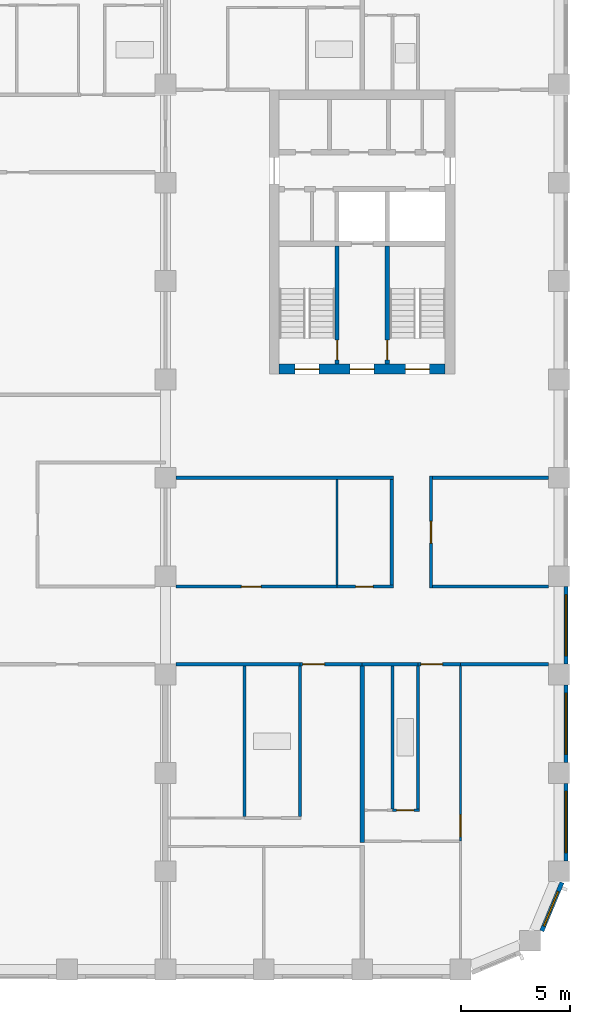
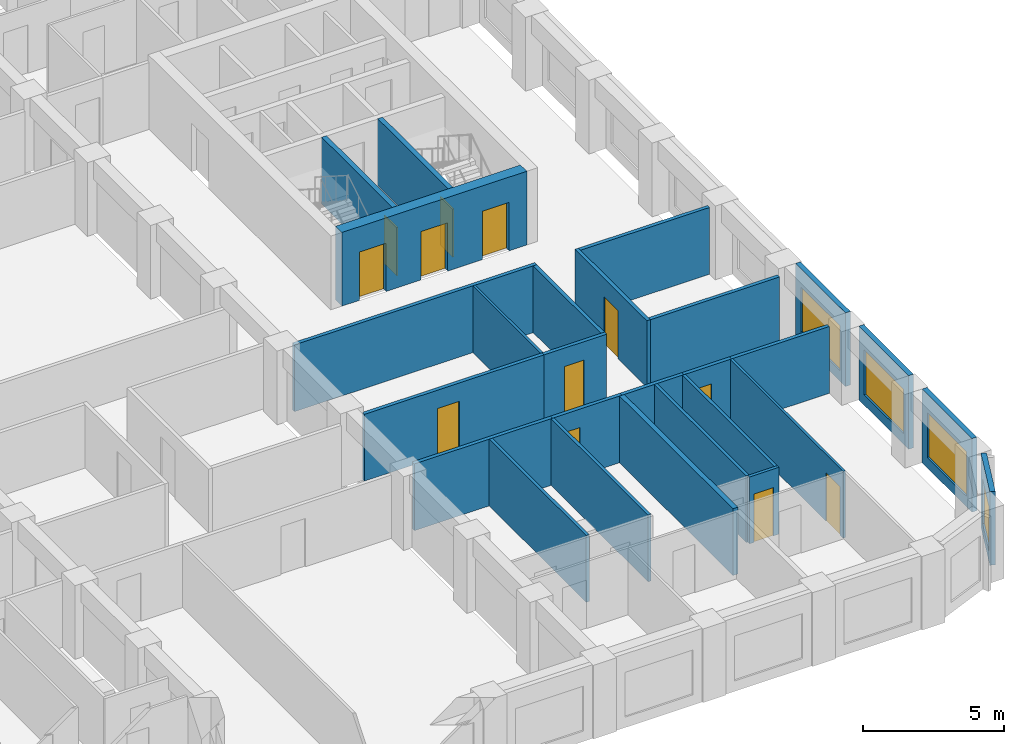
# One storey, part 5 of 13: 27 walls, 12 doors, 4 windows, 16 openings.
"""IFC4 building model written with IfcOpenShell, lengths in metres."""

from ifc_helpers import new_model, si_unit, direction, frame, frame_2d, origin, place, context, subcontext, project, spatial, rectangle, extrude, material, layer, layer_set, type_object, element, fill, save


model = new_model("IFC4")

# Units and contexts
model_context = context("Model", 3, precision=1e-05, world=origin(), true_north=direction((0.0, 1.0)))
body_context = subcontext(model_context, "Body", "Model", "MODEL_VIEW")
ifc_project = project(units=[si_unit("LENGTHUNIT", "METRE"), si_unit("AREAUNIT", "SQUARE_METRE"), si_unit("VOLUMEUNIT", "CUBIC_METRE"), si_unit("PLANEANGLEUNIT", "RADIAN"), si_unit("MASSUNIT", "GRAM", prefix="KILO")], contexts=[model_context])

# Site, building, storey
site_placement = place(None, origin())
site = spatial("IfcSite", under=ifc_project, at=site_placement, CompositionType="ELEMENT")
building_placement = place(site_placement, origin())
building = spatial("IfcBuilding", under=site, at=building_placement, Name="Girih Gate Residences", CompositionType="ELEMENT")
storey_placement = place(building_placement, frame((0.0, 0.0, 136.60009765625)))
storey = spatial("IfcBuildingStorey", under=building, at=storey_placement, Name="L38", CompositionType="ELEMENT", Elevation=136.60009765625)

# Wall, opening, door
ifc_material_1 = material(Name="Gypsum board on steel studs", Category="steel")
ifc_layer_1 = layer(ifc_material_1, 0.14990234375)
ifc_layer_set_1 = layer_set([ifc_layer_1], Name="Compartment wall 150 mm")
wall_type_1 = type_object("IfcWallType", Name="Compartment wall 150 mm", PredefinedType="PARTITIONING", material=ifc_layer_set_1)
wall_1_placement = place(storey_placement, frame((45.0, 13.97509765625, 0.0), z_axis=(0.0, 0.0, 1.0), x_axis=(-1.0, 0.0, 0.0)))
wall_1 = element("IfcWall", 1, at=wall_1_placement, inside=storey, type_object=wall_type_1, Name="L38 partition", PredefinedType="PARTITIONING", context=body_context, shape_type="SweptSolid", body=[
    extrude(rectangle(XDim=1.949951171875, YDim=0.14990234375, at=frame_2d((0.97509765625, 0.0))), origin(), (0.0, 0.0, 1.0), 2.89990234375),
])
opening_1_placement = place(wall_1_placement, frame((0.820068359375, 0.0, 0.0)))
opening_1 = element("IfcOpeningElement", 2, at=opening_1_placement, cuts=wall_1, Name="Opening A38-021", PredefinedType="OPENING", context=body_context, shape_type="SweptSolid", body=[
    extrude(rectangle(XDim=1.0, YDim=2.10009765625, at=frame_2d((0.5, 1.050048828125))), frame((0.0, 0.0849609375, 0.0), z_axis=(0.0, -1.0, 0.0), x_axis=(1.0, 0.0, 0.0)), (0.0, 0.0, 1.0), 0.169921875),
])
ifc_material_2 = material(Name="Timber, fire-rated core", Category="wood")
door_type_1 = type_object("IfcDoorType", Name="Flat entrance door 1000x2100 FD30S", OperationType="NOTDEFINED", PredefinedType="DOOR", material=ifc_material_2)
door_1_placement = place(opening_1_placement, origin())
door_1 = element("IfcDoor", 3, at=door_1_placement, inside=storey, type_object=door_type_1, Name="Door A38-021", OperationType="SINGLE_SWING_RIGHT", OverallHeight=2.10009765625, OverallWidth=1.0, PredefinedType="DOOR", context=body_context, shape_type="SweptSolid", body=[
    extrude(rectangle(XDim=1.0, YDim=2.10009765625, at=frame_2d((0.5, 1.050048828125))), frame((0.0, 0.02490234375, 0.0), z_axis=(0.0, -1.0, 0.0), x_axis=(1.0, 0.0, 0.0)), (0.0, 0.0, 1.0), 0.050048828125),
])
fill(opening_1, door_1)

# Walls
wall_2_placement = place(storey_placement, frame((40.5, 13.97509765625, 0.0), z_axis=(0.0, 0.0, 1.0), x_axis=(1.0, 0.0, 0.0)))
element("IfcWall", 4, at=wall_2_placement, inside=storey, type_object=wall_type_1, Name="L38 partition", PredefinedType="PARTITIONING", context=body_context, shape_type="SweptSolid", body=[
    extrude(rectangle(XDim=2.550048828125, YDim=0.14990234375, at=frame_2d((1.27490234375, 0.0))), origin(), (0.0, 0.0, 1.0), 2.89990234375),
])
wall_3_placement = place(storey_placement, frame((45.0, 13.97509765625, 0.0), z_axis=(0.0, 0.0, 1.0), x_axis=(1.0, 0.0, 0.0)))
element("IfcWall", 5, at=wall_3_placement, inside=storey, type_object=wall_type_1, Name="L38 partition", PredefinedType="PARTITIONING", context=body_context, shape_type="SweptSolid", body=[
    extrude(rectangle(XDim=4.02490234375, YDim=0.14990234375, at=frame_2d((2.012451171875, 0.0))), origin(), (0.0, 0.0, 1.0), 2.89990234375),
])

# Wall, opening, door
wall_4_placement = place(storey_placement, frame((40.5, 13.97509765625, 0.0), z_axis=(0.0, 0.0, 1.0), x_axis=(-1.0, 0.0, 0.0)))
wall_4 = element("IfcWall", 6, at=wall_4_placement, inside=storey, type_object=wall_type_1, Name="L38 partition", PredefinedType="PARTITIONING", context=body_context, shape_type="SweptSolid", body=[
    extrude(rectangle(XDim=2.85009765625, YDim=0.14990234375, at=frame_2d((1.425048828125, 0.0))), origin(), (0.0, 0.0, 1.0), 2.89990234375),
])
opening_2_placement = place(wall_4_placement, frame((1.719970703125, 0.0, 0.0)))
opening_2 = element("IfcOpeningElement", 7, at=opening_2_placement, cuts=wall_4, Name="Opening A38-026", PredefinedType="OPENING", context=body_context, shape_type="SweptSolid", body=[
    extrude(rectangle(XDim=1.0, YDim=2.10009765625, at=frame_2d((0.5, 1.050048828125))), frame((0.0, 0.0849609375, 0.0), z_axis=(0.0, -1.0, 0.0), x_axis=(1.0, 0.0, 0.0)), (0.0, 0.0, 1.0), 0.169921875),
])
door_2_placement = place(opening_2_placement, origin())
door_2 = element("IfcDoor", 8, at=door_2_placement, inside=storey, type_object=door_type_1, Name="Door A38-026", OperationType="SINGLE_SWING_RIGHT", OverallHeight=2.10009765625, OverallWidth=1.0, PredefinedType="DOOR", context=body_context, shape_type="SweptSolid", body=[
    extrude(rectangle(XDim=1.0, YDim=2.10009765625, at=frame_2d((0.5, 1.050048828125))), frame((0.0, 0.02490234375, 0.0), z_axis=(0.0, -1.0, 0.0), x_axis=(1.0, 0.0, 0.0)), (0.0, 0.0, 1.0), 0.050048828125),
])
fill(opening_2, door_2)

# Wall
wall_5_placement = place(storey_placement, frame((31.97509765625, 13.97509765625, 0.0), z_axis=(0.0, 0.0, 1.0), x_axis=(1.0, 0.0, 0.0)))
element("IfcWall", 9, at=wall_5_placement, inside=storey, type_object=wall_type_1, Name="L38 partition", PredefinedType="PARTITIONING", context=body_context, shape_type="SweptSolid", body=[
    extrude(rectangle(XDim=5.6748046875, YDim=0.14990234375, at=frame_2d((2.83740234375, 0.0))), origin(), (0.0, 0.0, 1.0), 2.89990234375),
])

# Wall, opening, door
wall_6_placement = place(storey_placement, frame((31.97509765625, 17.52490234375, 0.0), z_axis=(0.0, 0.0, 1.0), x_axis=(1.0, 0.0, 0.0)))
wall_6 = element("IfcWall", 10, at=wall_6_placement, inside=storey, type_object=wall_type_1, Name="L38 partition", PredefinedType="PARTITIONING", context=body_context, shape_type="SweptSolid", body=[
    extrude(rectangle(XDim=7.375, YDim=0.14990234375, at=frame_2d((3.6875, 0.0))), origin(), (0.0, 0.0, 1.0), 2.89990234375),
])
opening_3_placement = place(wall_6_placement, frame((3.0, 0.0, 0.0)))
opening_3 = element("IfcOpeningElement", 11, at=opening_3_placement, cuts=wall_6, Name="Opening A38-053", PredefinedType="OPENING", context=body_context, shape_type="SweptSolid", body=[
    extrude(rectangle(XDim=0.89990234375, YDim=2.10009765625, at=frame_2d((0.449951171875, 1.050048828125))), frame((0.0, 0.0849609375, 0.0), z_axis=(0.0, -1.0, 0.0), x_axis=(1.0, 0.0, 0.0)), (0.0, 0.0, 1.0), 0.169921875),
])
ifc_material_3 = material(Name="Timber", Category="wood")
door_type_2 = type_object("IfcDoorType", Name="Service room door 900x2100", OperationType="NOTDEFINED", PredefinedType="DOOR", material=ifc_material_3)
door_3_placement = place(opening_3_placement, origin())
door_3 = element("IfcDoor", 12, at=door_3_placement, inside=storey, type_object=door_type_2, Name="Door A38-053", OperationType="SINGLE_SWING_LEFT", OverallHeight=2.10009765625, OverallWidth=0.89990234375, PredefinedType="DOOR", context=body_context, shape_type="SweptSolid", body=[
    extrude(rectangle(XDim=0.89990234375, YDim=2.10009765625, at=frame_2d((0.449951171875, 1.050048828125))), frame((0.0, 0.02490234375, 0.0), z_axis=(0.0, -1.0, 0.0), x_axis=(1.0, 0.0, 0.0)), (0.0, 0.0, 1.0), 0.050048828125),
])
fill(opening_3, door_3)

wall_7_placement = place(storey_placement, frame((39.35009765625, 17.52490234375, 0.0), z_axis=(0.0, 0.0, 1.0), x_axis=(1.0, 0.0, 0.0)))
wall_7 = element("IfcWall", 13, at=wall_7_placement, inside=storey, type_object=wall_type_1, Name="L38 partition", PredefinedType="PARTITIONING", context=body_context, shape_type="SweptSolid", body=[
    extrude(rectangle(XDim=2.574951171875, YDim=0.14990234375, at=frame_2d((1.28759765625, 0.0))), origin(), (0.0, 0.0, 1.0), 2.89990234375),
])
opening_4_placement = place(wall_7_placement, frame((0.85009765625, 0.0, 0.0)))
opening_4 = element("IfcOpeningElement", 14, at=opening_4_placement, cuts=wall_7, Name="Opening A38-055", PredefinedType="OPENING", context=body_context, shape_type="SweptSolid", body=[
    extrude(rectangle(XDim=0.800048828125, YDim=2.10009765625, at=frame_2d((0.39990234375, 1.050048828125))), frame((0.0, 0.0849609375, 0.0), z_axis=(0.0, -1.0, 0.0), x_axis=(1.0, 0.0, 0.0)), (0.0, 0.0, 1.0), 0.169921875),
])
door_type_3 = type_object("IfcDoorType", Name="Bathroom door 800x2100", OperationType="NOTDEFINED", PredefinedType="DOOR", material=ifc_material_3)
door_4_placement = place(opening_4_placement, origin())
door_4 = element("IfcDoor", 15, at=door_4_placement, inside=storey, type_object=door_type_3, Name="Door A38-055", OperationType="SINGLE_SWING_LEFT", OverallHeight=2.10009765625, OverallWidth=0.800048828125, PredefinedType="DOOR", context=body_context, shape_type="SweptSolid", body=[
    extrude(rectangle(XDim=0.800048828125, YDim=2.10009765625, at=frame_2d((0.39990234375, 1.050048828125))), frame((0.0, 0.02490234375, 0.0), z_axis=(0.0, -1.0, 0.0), x_axis=(1.0, 0.0, 0.0)), (0.0, 0.0, 1.0), 0.050048828125),
])
fill(opening_4, door_4)

# Walls
wall_8_placement = place(storey_placement, frame((43.72509765625, 17.52490234375, 0.0), z_axis=(0.0, 0.0, 1.0), x_axis=(1.0, 0.0, 0.0)))
element("IfcWall", 16, at=wall_8_placement, inside=storey, type_object=wall_type_1, Name="L38 partition", PredefinedType="PARTITIONING", context=body_context, shape_type="SweptSolid", body=[
    extrude(rectangle(XDim=5.2998046875, YDim=0.14990234375, at=frame_2d((2.64990234375, 0.0))), origin(), (0.0, 0.0, 1.0), 2.89990234375),
])
wall_9_placement = place(storey_placement, frame((31.97509765625, 22.5, 0.0), z_axis=(0.0, 0.0, 1.0), x_axis=(1.0, 0.0, 0.0)))
element("IfcWall", 17, at=wall_9_placement, inside=storey, type_object=wall_type_1, Name="L38 partition", PredefinedType="PARTITIONING", context=body_context, shape_type="SweptSolid", body=[
    extrude(rectangle(XDim=9.949951171875, YDim=0.14990234375, at=frame_2d((4.97509765625, 0.0))), origin(), (0.0, 0.0, 1.0), 2.89990234375),
])
wall_10_placement = place(storey_placement, frame((43.72509765625, 22.5, 0.0), z_axis=(0.0, 0.0, 1.0), x_axis=(1.0, 0.0, 0.0)))
element("IfcWall", 18, at=wall_10_placement, inside=storey, type_object=wall_type_1, Name="L38 partition", PredefinedType="PARTITIONING", context=body_context, shape_type="SweptSolid", body=[
    extrude(rectangle(XDim=5.2998046875, YDim=0.14990234375, at=frame_2d((2.64990234375, 0.0))), origin(), (0.0, 0.0, 1.0), 2.89990234375),
])
wall_11_placement = place(storey_placement, frame((41.85009765625, 17.60009765625, 0.0), z_axis=(0.0, 0.0, 1.0), x_axis=(0.0, 1.0, 0.0)))
element("IfcWall", 19, at=wall_11_placement, inside=storey, type_object=wall_type_1, Name="L38 partition", PredefinedType="PARTITIONING", context=body_context, shape_type="SweptSolid", body=[
    extrude(rectangle(XDim=4.824951171875, YDim=0.14990234375, at=frame_2d((2.41259765625, 0.0))), origin(), (0.0, 0.0, 1.0), 2.89990234375),
])

# Wall, opening, door
wall_12_placement = place(storey_placement, frame((43.64990234375, 22.574951171875, 0.0), z_axis=(0.0, 0.0, 1.0), x_axis=(0.0, -1.0, 0.0)))
wall_12 = element("IfcWall", 20, at=wall_12_placement, inside=storey, type_object=wall_type_1, Name="L38 partition", PredefinedType="PARTITIONING", context=body_context, shape_type="SweptSolid", body=[
    extrude(rectangle(XDim=5.125, YDim=0.14990234375, at=frame_2d((2.5625, 0.0))), origin(), (0.0, 0.0, 1.0), 2.89990234375),
])
opening_5_placement = place(wall_12_placement, frame((2.0625, 0.0, 0.0)))
opening_5 = element("IfcOpeningElement", 21, at=opening_5_placement, cuts=wall_12, Name="Opening A38-057", PredefinedType="OPENING", context=body_context, shape_type="SweptSolid", body=[
    extrude(rectangle(XDim=1.0, YDim=2.10009765625, at=frame_2d((0.5, 1.050048828125))), frame((0.0, 0.0849609375, 0.0), z_axis=(0.0, -1.0, 0.0), x_axis=(1.0, 0.0, 0.0)), (0.0, 0.0, 1.0), 0.169921875),
])
door_type_4 = type_object("IfcDoorType", Name="Amenity room door 1000x2100 FD30S", OperationType="NOTDEFINED", PredefinedType="DOOR", material=ifc_material_2)
door_5_placement = place(opening_5_placement, origin())
door_5 = element("IfcDoor", 22, at=door_5_placement, inside=storey, type_object=door_type_4, Name="Door A38-057", OperationType="SINGLE_SWING_RIGHT", OverallHeight=2.10009765625, OverallWidth=1.0, PredefinedType="DOOR", context=body_context, shape_type="SweptSolid", body=[
    extrude(rectangle(XDim=1.0, YDim=2.10009765625, at=frame_2d((0.5, 1.050048828125))), frame((0.0, 0.02490234375, 0.0), z_axis=(0.0, -1.0, 0.0), x_axis=(1.0, 0.0, 0.0)), (0.0, 0.0, 1.0), 0.050048828125),
])
fill(opening_5, door_5)

# Wall, openings, doors
ifc_material_4 = material(Name="Concrete C60/75", Category="concrete")
ifc_layer_2 = layer(ifc_material_4, 0.449951171875)
ifc_layer_set_2 = layer_set([ifc_layer_2], Name="Core wall RC 450 Concrete C60/75")
wall_type_2 = type_object("IfcWallType", Name="Core wall RC 450 Concrete C60/75", PredefinedType="SOLIDWALL", material=ifc_layer_set_2)
wall_13_placement = place(storey_placement, frame((36.699951171875, 27.47509765625, 0.0), z_axis=(0.0, 0.0, 1.0), x_axis=(1.0, 0.0, 0.0)))
wall_13 = element("IfcWall", 23, at=wall_13_placement, inside=storey, type_object=wall_type_2, Name="Core wall E-S L38", PredefinedType="SOLIDWALL", context=body_context, shape_type="SweptSolid", body=[
    extrude(rectangle(XDim=7.60009765625, YDim=0.449951171875, at=frame_2d((3.800048828125, 0.0))), origin(), (0.0, 0.0, 1.0), 3.199951171875),
])
opening_6_placement = place(wall_13_placement, frame((5.77490234375, 0.0, 0.0)))
opening_6 = element("IfcOpeningElement", 24, at=opening_6_placement, cuts=wall_13, Name="Opening D-L38-E-011", PredefinedType="OPENING", context=body_context, shape_type="SweptSolid", body=[
    extrude(rectangle(XDim=1.10009765625, YDim=2.10009765625, at=frame_2d((0.550048828125, 1.050048828125))), frame((0.0, 0.23486328125, 0.0), z_axis=(0.0, -1.0, 0.0), x_axis=(1.0, 0.0, 0.0)), (0.0, 0.0, 1.0), 0.469970703125),
])
opening_7_placement = place(wall_13_placement, frame((3.25, 0.0, 0.0)))
opening_7 = element("IfcOpeningElement", 25, at=opening_7_placement, cuts=wall_13, Name="Opening D-L38-E-012", PredefinedType="OPENING", context=body_context, shape_type="SweptSolid", body=[
    extrude(rectangle(XDim=1.10009765625, YDim=2.10009765625, at=frame_2d((0.550048828125, 1.050048828125))), frame((0.0, 0.23486328125, 0.0), z_axis=(0.0, -1.0, 0.0), x_axis=(1.0, 0.0, 0.0)), (0.0, 0.0, 1.0), 0.469970703125),
])
opening_8_placement = place(wall_13_placement, frame((0.72509765625, 0.0, 0.0)))
opening_8 = element("IfcOpeningElement", 26, at=opening_8_placement, cuts=wall_13, Name="Opening D-L38-E-013", PredefinedType="OPENING", context=body_context, shape_type="SweptSolid", body=[
    extrude(rectangle(XDim=1.10009765625, YDim=2.10009765625, at=frame_2d((0.550048828125, 1.050048828125))), frame((0.0, 0.23486328125, 0.0), z_axis=(0.0, -1.0, 0.0), x_axis=(1.0, 0.0, 0.0)), (0.0, 0.0, 1.0), 0.469970703125),
])
ifc_material_5 = material(Name="Painted steel, fire-resisting", Category="steel")
door_type_5 = type_object("IfcDoorType", Name="Fire door 1100x2100", OperationType="SINGLE_SWING_LEFT", PredefinedType="DOOR", material=ifc_material_5)
door_6_placement = place(opening_6_placement, origin())
door_6 = element("IfcDoor", 27, at=door_6_placement, inside=storey, type_object=door_type_5, Name="L38 E core door sta-out", OperationType="SINGLE_SWING_LEFT", OverallHeight=2.10009765625, OverallWidth=1.10009765625, PredefinedType="DOOR", context=body_context, shape_type="SweptSolid", body=[
    extrude(rectangle(XDim=1.10009765625, YDim=2.10009765625, at=frame_2d((0.550048828125, 1.050048828125))), frame((0.0, 0.02490234375, 0.0), z_axis=(0.0, -1.0, 0.0), x_axis=(1.0, 0.0, 0.0)), (0.0, 0.0, 1.0), 0.050048828125),
])
fill(opening_6, door_6)
door_7_placement = place(opening_7_placement, origin())
door_7 = element("IfcDoor", 28, at=door_7_placement, inside=storey, type_object=door_type_5, Name="L38 E core door ffl-out", OperationType="SINGLE_SWING_LEFT", OverallHeight=2.10009765625, OverallWidth=1.10009765625, PredefinedType="DOOR", context=body_context, shape_type="SweptSolid", body=[
    extrude(rectangle(XDim=1.10009765625, YDim=2.10009765625, at=frame_2d((0.550048828125, 1.050048828125))), frame((0.0, 0.02490234375, 0.0), z_axis=(0.0, -1.0, 0.0), x_axis=(1.0, 0.0, 0.0)), (0.0, 0.0, 1.0), 0.050048828125),
])
fill(opening_7, door_7)
door_8_placement = place(opening_8_placement, origin())
door_8 = element("IfcDoor", 29, at=door_8_placement, inside=storey, type_object=door_type_5, Name="L38 E core door stb-out", OperationType="SINGLE_SWING_LEFT", OverallHeight=2.10009765625, OverallWidth=1.10009765625, PredefinedType="DOOR", context=body_context, shape_type="SweptSolid", body=[
    extrude(rectangle(XDim=1.10009765625, YDim=2.10009765625, at=frame_2d((0.550048828125, 1.050048828125))), frame((0.0, 0.02490234375, 0.0), z_axis=(0.0, -1.0, 0.0), x_axis=(1.0, 0.0, 0.0)), (0.0, 0.0, 1.0), 0.050048828125),
])
fill(opening_8, door_8)

# Wall, opening, door
ifc_layer_3 = layer(ifc_material_1, 0.10009765625)
ifc_layer_set_3 = layer_set([ifc_layer_3], Name="Partition 100 mm")
wall_type_3 = type_object("IfcWallType", Name="Partition 100 mm", PredefinedType="PARTITIONING", material=ifc_layer_set_3)
wall_14_placement = place(storey_placement, frame((45.0, 13.89990234375, 0.0), z_axis=(0.0, 0.0, 1.0), x_axis=(0.0, -1.0, 0.0)))
wall_14 = element("IfcWall", 30, at=wall_14_placement, inside=storey, type_object=wall_type_3, Name="L38 partition", PredefinedType="PARTITIONING", context=body_context, shape_type="SweptSolid", body=[
    extrude(rectangle(XDim=8.02490234375, YDim=0.10009765625, at=frame_2d((4.012451171875, 0.0))), origin(), (0.0, 0.0, 1.0), 2.89990234375),
])
opening_9_placement = place(wall_14_placement, frame((6.81494140625, 0.0, 0.0)))
opening_9 = element("IfcOpeningElement", 31, at=opening_9_placement, cuts=wall_14, Name="Opening A38-020", PredefinedType="OPENING", context=body_context, shape_type="SweptSolid", body=[
    extrude(rectangle(XDim=1.0, YDim=2.10009765625, at=frame_2d((0.5, 1.050048828125))), frame((0.0, 0.06005859375, 0.0), z_axis=(0.0, -1.0, 0.0), x_axis=(1.0, 0.0, 0.0)), (0.0, 0.0, 1.0), 0.1201171875),
])
door_type_6 = type_object("IfcDoorType", Name="Living room door 1000x2100", OperationType="NOTDEFINED", PredefinedType="DOOR", material=ifc_material_3)
door_9_placement = place(opening_9_placement, origin())
door_9 = element("IfcDoor", 32, at=door_9_placement, inside=storey, type_object=door_type_6, Name="Door A38-020", OperationType="SINGLE_SWING_RIGHT", OverallHeight=2.10009765625, OverallWidth=1.0, PredefinedType="DOOR", context=body_context, shape_type="SweptSolid", body=[
    extrude(rectangle(XDim=1.0, YDim=2.10009765625, at=frame_2d((0.5, 1.050048828125))), frame((0.0, 0.02490234375, 0.0), z_axis=(0.0, -1.0, 0.0), x_axis=(1.0, 0.0, 0.0)), (0.0, 0.0, 1.0), 0.050048828125),
])
fill(opening_9, door_9)

# Walls
wall_15_placement = place(storey_placement, frame((39.35009765625, 17.60009765625, 0.0), z_axis=(0.0, 0.0, 1.0), x_axis=(0.0, 1.0, 0.0)))
element("IfcWall", 33, at=wall_15_placement, inside=storey, type_object=wall_type_3, Name="L38 partition", PredefinedType="PARTITIONING", context=body_context, shape_type="SweptSolid", body=[
    extrude(rectangle(XDim=4.824951171875, YDim=0.10009765625, at=frame_2d((2.41259765625, 0.0))), origin(), (0.0, 0.0, 1.0), 2.89990234375),
])
ifc_layer_4 = layer(ifc_material_1, 0.199951171875)
ifc_layer_set_4 = layer_set([ifc_layer_4], Name="Party wall 200 mm")
wall_type_4 = type_object("IfcWallType", Name="Party wall 200 mm", PredefinedType="PARTITIONING", material=ifc_layer_set_4)
wall_16_placement = place(storey_placement, frame((40.5, 5.824951171875, 0.0), z_axis=(0.0, 0.0, 1.0), x_axis=(0.0, 1.0, 0.0)))
element("IfcWall", 34, at=wall_16_placement, inside=storey, type_object=wall_type_4, Name="L38 partition", PredefinedType="PARTITIONING", context=body_context, shape_type="SweptSolid", body=[
    extrude(rectangle(XDim=8.074951171875, YDim=0.199951171875, at=frame_2d((4.03759765625, 0.0))), origin(), (0.0, 0.0, 1.0), 2.89990234375),
])

# Wall, opening, window
ifc_material_6 = material(Name="Precast concrete C50/60", Category="concrete")
ifc_layer_5 = layer(ifc_material_6, 0.06005859375, Name="Outer leaf")
ifc_material_7 = material(Name="Rigid PIR insulation")
ifc_layer_6 = layer(ifc_material_7, 0.090087890625, Name="Insulation")
ifc_material_8 = material(Name="Precast concrete C40/50", Category="concrete")
ifc_layer_7 = layer(ifc_material_8, 0.050048828125, Name="Inner leaf")
ifc_layer_set_5 = layer_set([ifc_layer_5, ifc_layer_6, ifc_layer_7], Name="Precast concrete C50/60 external wall 200")
wall_type_5 = type_object("IfcWallType", Name="Precast concrete C50/60 external wall 200", PredefinedType="SOLIDWALL", material=ifc_layer_set_5)
wall_17_placement = place(storey_placement, frame((49.63916015625, 3.98681640625, 0.0), z_axis=(0.0, 0.0, 1.0), x_axis=(-0.382680855588, -0.923880599843, 0.0)))
wall_17 = element("IfcWall", 35, at=wall_17_placement, inside=storey, type_object=wall_type_5, Name="External wall SE0482_0013.0", PredefinedType="SOLIDWALL", context=body_context, shape_type="SweptSolid", body=[
    extrude(rectangle(XDim=2.402587890625, YDim=0.199951171875, at=frame_2d((1.201171875, 0.0))), origin(), (0.0, 0.0, 1.0), 3.199951171875),
])
opening_10_placement = place(wall_17_placement, frame((0.451171875, 0.0, 0.449951171875)))
opening_10 = element("IfcOpeningElement", 36, at=opening_10_placement, cuts=wall_17, Name="Opening W-2E", PredefinedType="OPENING", context=body_context, shape_type="SweptSolid", body=[
    extrude(rectangle(XDim=1.699951171875, YDim=1.949951171875, at=frame_2d((0.85009765625, 0.97509765625))), frame((0.0, 0.10986328125, 0.0), z_axis=(0.0, -1.0, 0.0), x_axis=(1.0, 0.0, 0.0)), (0.0, 0.0, 1.0), 0.219970703125),
])
ifc_material_9 = material(Name="Double glazing in aluminium frame", Category="aluminium")
window_type_1 = type_object("IfcWindowType", Name="Window W-2E 1700x1950", PartitioningType="SINGLE_PANEL", PredefinedType="WINDOW", material=ifc_material_9)
window_1_placement = place(opening_10_placement, origin())
window_1 = element("IfcWindow", 37, at=window_1_placement, inside=storey, type_object=window_type_1, Name="Window W-2E SE0482_0013.0", OverallHeight=1.949951171875, OverallWidth=1.699951171875, PartitioningType="SINGLE_PANEL", PredefinedType="WINDOW", context=body_context, shape_type="SweptSolid", body=[
    extrude(rectangle(XDim=1.699951171875, YDim=1.949951171875, at=frame_2d((0.85009765625, 0.97509765625))), frame((0.0, 0.030029296875, 0.0), z_axis=(0.0, -1.0, 0.0), x_axis=(1.0, 0.0, 0.0)), (0.0, 0.0, 1.0), 0.06005859375),
])
fill(opening_10, window_1)

wall_18_placement = place(storey_placement, frame((49.824951171875, 8.52490234375, 0.0), z_axis=(0.0, 0.0, 1.0), x_axis=(0.0, -1.0, 0.0)))
wall_18 = element("IfcWall", 38, at=wall_18_placement, inside=storey, type_object=wall_type_5, Name="External wall E0495_0045.0", PredefinedType="SOLIDWALL", context=body_context, shape_type="SweptSolid", body=[
    extrude(rectangle(XDim=3.5498046875, YDim=0.199951171875, at=frame_2d((1.77490234375, 0.0))), origin(), (0.0, 0.0, 1.0), 3.199951171875),
])
opening_11_placement = place(wall_18_placement, frame((0.375, 0.0, 0.449951171875)))
opening_11 = element("IfcOpeningElement", 39, at=opening_11_placement, cuts=wall_18, Name="Opening W-1B", PredefinedType="OPENING", context=body_context, shape_type="SweptSolid", body=[
    extrude(rectangle(XDim=2.800048828125, YDim=1.949951171875, at=frame_2d((1.39990234375, 0.97509765625))), frame((0.0, 0.10986328125, 0.0), z_axis=(0.0, -1.0, 0.0), x_axis=(1.0, 0.0, 0.0)), (0.0, 0.0, 1.0), 0.219970703125),
])
window_type_2 = type_object("IfcWindowType", Name="Window W-1B 2800x1950", PartitioningType="SINGLE_PANEL", PredefinedType="WINDOW", material=ifc_material_9)
window_2_placement = place(opening_11_placement, origin())
window_2 = element("IfcWindow", 40, at=window_2_placement, inside=storey, type_object=window_type_2, Name="Window W-1B E0495_0045.0", OverallHeight=1.949951171875, OverallWidth=2.800048828125, PartitioningType="SINGLE_PANEL", PredefinedType="WINDOW", context=body_context, shape_type="SweptSolid", body=[
    extrude(rectangle(XDim=2.800048828125, YDim=1.949951171875, at=frame_2d((1.39990234375, 0.97509765625))), frame((0.0, 0.030029296875, 0.0), z_axis=(0.0, -1.0, 0.0), x_axis=(1.0, 0.0, 0.0)), (0.0, 0.0, 1.0), 0.06005859375),
])
fill(opening_11, window_2)

wall_19_placement = place(storey_placement, frame((49.824951171875, 13.02490234375, 0.0), z_axis=(0.0, 0.0, 1.0), x_axis=(0.0, -1.0, 0.0)))
wall_19 = element("IfcWall", 41, at=wall_19_placement, inside=storey, type_object=wall_type_5, Name="External wall E0495_0045.1", PredefinedType="SOLIDWALL", context=body_context, shape_type="SweptSolid", body=[
    extrude(rectangle(XDim=3.5498046875, YDim=0.199951171875, at=frame_2d((1.77490234375, 0.0))), origin(), (0.0, 0.0, 1.0), 3.199951171875),
])
opening_12_placement = place(wall_19_placement, frame((0.375, 0.0, 0.449951171875)))
opening_12 = element("IfcOpeningElement", 42, at=opening_12_placement, cuts=wall_19, Name="Opening W-1B", PredefinedType="OPENING", context=body_context, shape_type="SweptSolid", body=[
    extrude(rectangle(XDim=2.800048828125, YDim=1.949951171875, at=frame_2d((1.39990234375, 0.97509765625))), frame((0.0, 0.10986328125, 0.0), z_axis=(0.0, -1.0, 0.0), x_axis=(1.0, 0.0, 0.0)), (0.0, 0.0, 1.0), 0.219970703125),
])
window_3_placement = place(opening_12_placement, origin())
window_3 = element("IfcWindow", 43, at=window_3_placement, inside=storey, type_object=window_type_2, Name="Window W-1B E0495_0045.1", OverallHeight=1.949951171875, OverallWidth=2.800048828125, PartitioningType="SINGLE_PANEL", PredefinedType="WINDOW", context=body_context, shape_type="SweptSolid", body=[
    extrude(rectangle(XDim=2.800048828125, YDim=1.949951171875, at=frame_2d((1.39990234375, 0.97509765625))), frame((0.0, 0.030029296875, 0.0), z_axis=(0.0, -1.0, 0.0), x_axis=(1.0, 0.0, 0.0)), (0.0, 0.0, 1.0), 0.06005859375),
])
fill(opening_12, window_3)

wall_20_placement = place(storey_placement, frame((49.824951171875, 17.52490234375, 0.0), z_axis=(0.0, 0.0, 1.0), x_axis=(0.0, -1.0, 0.0)))
wall_20 = element("IfcWall", 44, at=wall_20_placement, inside=storey, type_object=wall_type_5, Name="External wall E0495_0045.2", PredefinedType="SOLIDWALL", context=body_context, shape_type="SweptSolid", body=[
    extrude(rectangle(XDim=3.5498046875, YDim=0.199951171875, at=frame_2d((1.77490234375, 0.0))), origin(), (0.0, 0.0, 1.0), 3.199951171875),
])
opening_13_placement = place(wall_20_placement, frame((0.375, 0.0, 0.449951171875)))
opening_13 = element("IfcOpeningElement", 45, at=opening_13_placement, cuts=wall_20, Name="Opening W-1B", PredefinedType="OPENING", context=body_context, shape_type="SweptSolid", body=[
    extrude(rectangle(XDim=2.800048828125, YDim=1.949951171875, at=frame_2d((1.39990234375, 0.97509765625))), frame((0.0, 0.10986328125, 0.0), z_axis=(0.0, -1.0, 0.0), x_axis=(1.0, 0.0, 0.0)), (0.0, 0.0, 1.0), 0.219970703125),
])
window_4_placement = place(opening_13_placement, origin())
window_4 = element("IfcWindow", 46, at=window_4_placement, inside=storey, type_object=window_type_2, Name="Window W-1B E0495_0045.2", OverallHeight=1.949951171875, OverallWidth=2.800048828125, PartitioningType="SINGLE_PANEL", PredefinedType="WINDOW", context=body_context, shape_type="SweptSolid", body=[
    extrude(rectangle(XDim=2.800048828125, YDim=1.949951171875, at=frame_2d((1.39990234375, 0.97509765625))), frame((0.0, 0.030029296875, 0.0), z_axis=(0.0, -1.0, 0.0), x_axis=(1.0, 0.0, 0.0)), (0.0, 0.0, 1.0), 0.06005859375),
])
fill(opening_13, window_4)

# Wall, opening, door
ifc_material_10 = material(Name="Concrete C40/50", Category="concrete")
ifc_layer_8 = layer(ifc_material_10, 0.199951171875)
ifc_layer_set_6 = layer_set([ifc_layer_8], Name="Shaft wall 200")
wall_type_6 = type_object("IfcWallType", Name="Shaft wall 200", PredefinedType="SOLIDWALL", material=ifc_layer_set_6)
wall_21_placement = place(storey_placement, frame((41.64990234375, 27.699951171875, 0.0), z_axis=(0.0, 0.0, 1.0), x_axis=(0.0, 1.0, 0.0)))
wall_21 = element("IfcWall", 47, at=wall_21_placement, inside=storey, type_object=wall_type_6, Name="L38 E core wall V1a", PredefinedType="SOLIDWALL", context=body_context, shape_type="SweptSolid", body=[
    extrude(rectangle(XDim=5.400146484375, YDim=0.199951171875, at=frame_2d((2.7001953125, 0.0))), origin(), (0.0, 0.0, 1.0), 2.89990234375),
])
opening_14_placement = place(wall_21_placement, frame((0.199951171875, 0.0, 0.0)))
opening_14 = element("IfcOpeningElement", 48, at=opening_14_placement, cuts=wall_21, Name="Opening D-L38-E-001", PredefinedType="OPENING", context=body_context, shape_type="SweptSolid", body=[
    extrude(rectangle(XDim=0.89990234375, YDim=2.10009765625, at=frame_2d((0.449951171875, 1.050048828125))), frame((0.0, 0.10986328125, 0.0), z_axis=(0.0, -1.0, 0.0), x_axis=(1.0, 0.0, 0.0)), (0.0, 0.0, 1.0), 0.219970703125),
])
door_type_7 = type_object("IfcDoorType", Name="Fire door 900x2100", OperationType="SINGLE_SWING_LEFT", PredefinedType="DOOR", material=ifc_material_5)
door_10_placement = place(opening_14_placement, origin())
door_10 = element("IfcDoor", 49, at=door_10_placement, inside=storey, type_object=door_type_7, Name="L38 E door stair 1 to firefighting lobby", OperationType="SINGLE_SWING_LEFT", OverallHeight=2.10009765625, OverallWidth=0.89990234375, PredefinedType="DOOR", context=body_context, shape_type="SweptSolid", body=[
    extrude(rectangle(XDim=0.89990234375, YDim=2.10009765625, at=frame_2d((0.449951171875, 1.050048828125))), frame((0.0, 0.02490234375, 0.0), z_axis=(0.0, -1.0, 0.0), x_axis=(1.0, 0.0, 0.0)), (0.0, 0.0, 1.0), 0.050048828125),
])
fill(opening_14, door_10)

wall_22_placement = place(storey_placement, frame((39.35009765625, 27.699951171875, 0.0), z_axis=(0.0, 0.0, 1.0), x_axis=(0.0, 1.0, 0.0)))
wall_22 = element("IfcWall", 50, at=wall_22_placement, inside=storey, type_object=wall_type_6, Name="L38 E core wall V2a", PredefinedType="SOLIDWALL", context=body_context, shape_type="SweptSolid", body=[
    extrude(rectangle(XDim=5.400146484375, YDim=0.199951171875, at=frame_2d((2.7001953125, 0.0))), origin(), (0.0, 0.0, 1.0), 2.89990234375),
])
opening_15_placement = place(wall_22_placement, frame((0.199951171875, 0.0, 0.0)))
opening_15 = element("IfcOpeningElement", 51, at=opening_15_placement, cuts=wall_22, Name="Opening D-L38-E-002", PredefinedType="OPENING", context=body_context, shape_type="SweptSolid", body=[
    extrude(rectangle(XDim=0.89990234375, YDim=2.10009765625, at=frame_2d((0.449951171875, 1.050048828125))), frame((0.0, 0.10986328125, 0.0), z_axis=(0.0, -1.0, 0.0), x_axis=(1.0, 0.0, 0.0)), (0.0, 0.0, 1.0), 0.219970703125),
])
door_11_placement = place(opening_15_placement, origin())
door_11 = element("IfcDoor", 52, at=door_11_placement, inside=storey, type_object=door_type_7, Name="L38 E door stair 2 to firefighting lobby", OperationType="SINGLE_SWING_LEFT", OverallHeight=2.10009765625, OverallWidth=0.89990234375, PredefinedType="DOOR", context=body_context, shape_type="SweptSolid", body=[
    extrude(rectangle(XDim=0.89990234375, YDim=2.10009765625, at=frame_2d((0.449951171875, 1.050048828125))), frame((0.0, 0.02490234375, 0.0), z_axis=(0.0, -1.0, 0.0), x_axis=(1.0, 0.0, 0.0)), (0.0, 0.0, 1.0), 0.050048828125),
])
fill(opening_15, door_11)

# Wall
ifc_layer_9 = layer(ifc_material_1, 0.125)
ifc_layer_set_7 = layer_set([ifc_layer_9], Name="Wet room wall 125 mm")
wall_type_7 = type_object("IfcWallType", Name="Wet room wall 125 mm", PredefinedType="PARTITIONING", material=ifc_layer_set_7)
wall_23_placement = place(storey_placement, frame((43.050048828125, 7.357421875, 0.0), z_axis=(0.0, 0.0, 1.0), x_axis=(0.0, 1.0, 0.0)))
element("IfcWall", 53, at=wall_23_placement, inside=storey, type_object=wall_type_7, Name="L38 partition", PredefinedType="PARTITIONING", context=body_context, shape_type="SweptSolid", body=[
    extrude(rectangle(XDim=6.54248046875, YDim=0.125, at=frame_2d((3.271240234375, 0.0))), origin(), (0.0, 0.0, 1.0), 2.89990234375),
])

# Wall, opening, door
wall_24_placement = place(storey_placement, frame((41.890869140625, 7.294921875, 0.0), z_axis=(0.0, 0.0, 1.0), x_axis=(1.0, 0.0, 0.0)))
wall_24 = element("IfcWall", 54, at=wall_24_placement, inside=storey, type_object=wall_type_7, Name="L38 partition", PredefinedType="PARTITIONING", context=body_context, shape_type="SweptSolid", body=[
    extrude(rectangle(XDim=1.2216796875, YDim=0.125, at=frame_2d((0.61083984375, 0.0))), origin(), (0.0, 0.0, 1.0), 2.89990234375),
])
opening_16_placement = place(wall_24_placement, frame((0.179443359375, 0.0, 0.0)))
opening_16 = element("IfcOpeningElement", 55, at=opening_16_placement, cuts=wall_24, Name="Opening A38-017", PredefinedType="OPENING", context=body_context, shape_type="SweptSolid", body=[
    extrude(rectangle(XDim=0.800048828125, YDim=2.10009765625, at=frame_2d((0.39990234375, 1.050048828125))), frame((0.0, 0.072509765625, 0.0), z_axis=(0.0, -1.0, 0.0), x_axis=(1.0, 0.0, 0.0)), (0.0, 0.0, 1.0), 0.14501953125),
])
door_12_placement = place(opening_16_placement, origin())
door_12 = element("IfcDoor", 56, at=door_12_placement, inside=storey, type_object=door_type_3, Name="Door A38-017", OperationType="SINGLE_SWING_LEFT", OverallHeight=2.10009765625, OverallWidth=0.800048828125, PredefinedType="DOOR", context=body_context, shape_type="SweptSolid", body=[
    extrude(rectangle(XDim=0.800048828125, YDim=2.10009765625, at=frame_2d((0.39990234375, 1.050048828125))), frame((0.0, 0.02490234375, 0.0), z_axis=(0.0, -1.0, 0.0), x_axis=(1.0, 0.0, 0.0)), (0.0, 0.0, 1.0), 0.050048828125),
])
fill(opening_16, door_12)

# Walls
wall_25_placement = place(storey_placement, frame((41.89111328125, 7.357421875, 0.0), z_axis=(0.0, 0.0, 1.0), x_axis=(0.0, 1.0, 0.0)))
element("IfcWall", 57, at=wall_25_placement, inside=storey, type_object=wall_type_7, Name="L38 partition", PredefinedType="PARTITIONING", context=body_context, shape_type="SweptSolid", body=[
    extrude(rectangle(XDim=6.54248046875, YDim=0.125, at=frame_2d((3.271240234375, 0.0))), origin(), (0.0, 0.0, 1.0), 2.89990234375),
])
for number, where, z_axis, x_axis, name in (
    (58, (37.64990234375, 6.99755859375, 0.0), (0.0, 0.0, 1.0), (0.0, 1.0, 0.0), "L38 partition"),
    (59, (35.111083984375, 6.99755859375, 0.0), (0.0, 0.0, 1.0), (0.0, 1.0, 0.0), "L38 partition"),
):
    element("IfcWall", number, at=place(storey_placement, frame(where, z_axis=z_axis, x_axis=x_axis)), inside=storey, type_object=wall_type_7, Name=name, PredefinedType="PARTITIONING", context=body_context, shape_type="SweptSolid", body=[
        extrude(rectangle(XDim=6.90234375, YDim=0.125, at=frame_2d((3.451171875, 0.0))), origin(), (0.0, 0.0, 1.0), 2.89990234375),
    ])

save(model, "model.ifc")
